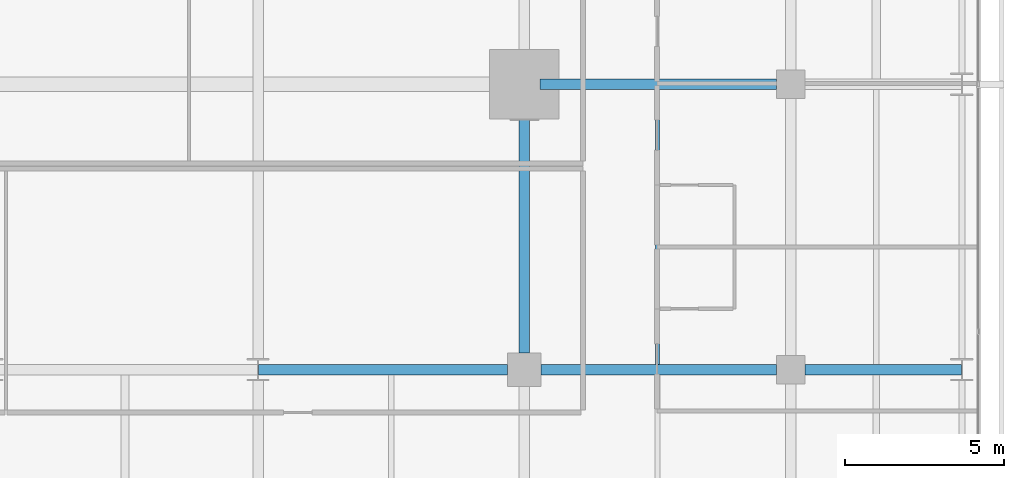
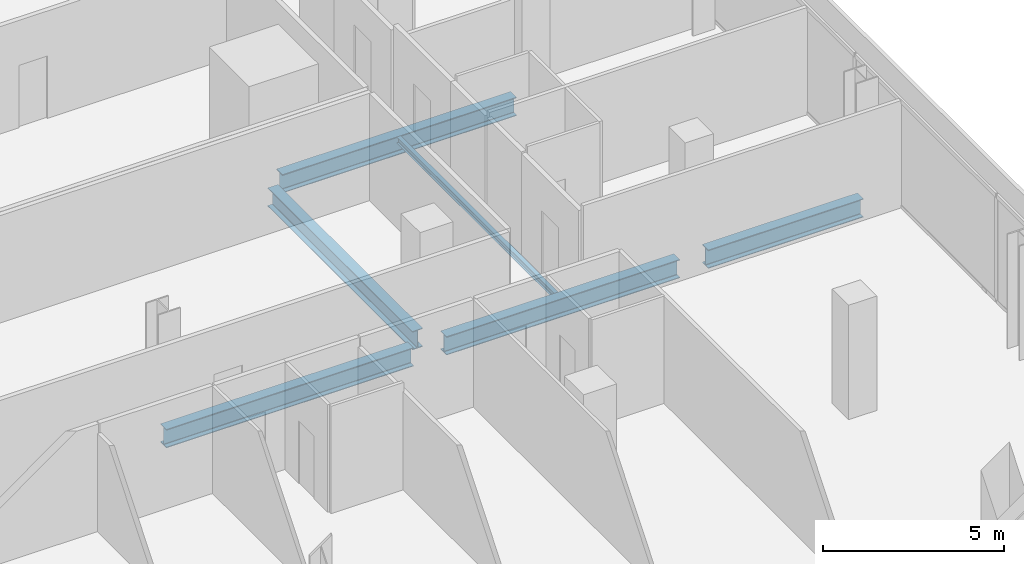
# One storey, part 18 of 39: 6 beams.
"""IFC4 building model written with IfcOpenShell, lengths in metres."""

from ifc_helpers import new_model, si_unit, direction, frame, origin, origin_2d, place, context, subcontext, project, spatial, i_section, extrude, material, material_profile, profile_set, type_object, element, save


model = new_model("IFC4")

# Units and contexts
model_context = context("Model", 3, precision=1e-05, world=origin(), true_north=direction((0.0, 1.0)))
body_context = subcontext(model_context, "Body", "Model", "MODEL_VIEW")
ifc_project = project(units=[si_unit("LENGTHUNIT", "METRE"), si_unit("AREAUNIT", "SQUARE_METRE"), si_unit("VOLUMEUNIT", "CUBIC_METRE"), si_unit("PLANEANGLEUNIT", "RADIAN"), si_unit("MASSUNIT", "GRAM", prefix="KILO")], contexts=[model_context])

# Site, building, storey
site_placement = place(None, origin())
site = spatial("IfcSite", under=ifc_project, at=site_placement, CompositionType="ELEMENT")
building_placement = place(site_placement, origin())
building = spatial("IfcBuilding", under=site, at=building_placement, Name="Maruvema Waterfront Hotel and Observation Tower", CompositionType="ELEMENT")
storey_placement = place(building_placement, frame((0.0, 0.0, 46.199951171875)))
storey = spatial("IfcBuildingStorey", under=building, at=storey_placement, Name="L10", CompositionType="ELEMENT", Elevation=46.199951171875)

# Beams
ifc_material_1 = material(Name="Steel ASTM A572 Grade 50", Category="steel")
ifc_material_profile_1 = material_profile(ifc_material_1, i_section(OverallWidth=0.326904296875, OverallDepth=0.6220703125, WebThickness=0.015380859375, FlangeThickness=0.0244140625, FilletRadius=0.01806640625, at=origin_2d()), Name="W610x195.0")
ifc_profile_set_1 = profile_set([ifc_material_profile_1], Name="Steel ASTM A572 Grade 50")
beam_type_1 = type_object("IfcBeamType", Name="Primary Floor Girder W610x195.0", PredefinedType="BEAM", material=ifc_profile_set_1)
beam_1_placement = place(storey_placement, frame((42.013916015625, 18.0, -0.551025390625), z_axis=(1.0, 0.0, 0.0), x_axis=(0.0, 1.0, 0.0)))
element("IfcBeam", 1, at=beam_1_placement, inside=storey, type_object=beam_type_1, Name="L10 Floor Girder EW-17", PredefinedType="BEAM", context=body_context, shape_type="SweptSolid", body=[
    extrude(i_section(OverallWidth=0.326904296875, OverallDepth=0.6220703125, WebThickness=0.015380859375, FlangeThickness=0.0244140625, FilletRadius=0.01806640625, at=origin_2d()), origin(), (0.0, 0.0, 1.0), 7.861083984375),
])
beam_2_placement = place(storey_placement, frame((50.925048828125, 18.0, -0.551025390625), z_axis=(1.0, 0.0, 0.0), x_axis=(0.0, 1.0, 0.0)))
element("IfcBeam", 2, at=beam_2_placement, inside=storey, type_object=beam_type_1, Name="L10 Floor Girder EW-18", PredefinedType="BEAM", context=body_context, shape_type="SweptSolid", body=[
    extrude(i_section(OverallWidth=0.326904296875, OverallDepth=0.6220703125, WebThickness=0.015380859375, FlangeThickness=0.0244140625, FilletRadius=0.01806640625, at=origin_2d()), origin(), (0.0, 0.0, 1.0), 7.425048828125),
])
beam_3_placement = place(storey_placement, frame((59.25, 18.0, -0.551025390625), z_axis=(1.0, 0.0, 0.0), x_axis=(0.0, 1.0, 0.0)))
element("IfcBeam", 3, at=beam_3_placement, inside=storey, type_object=beam_type_1, Name="L10 Floor Girder EW-19", PredefinedType="BEAM", context=body_context, shape_type="SweptSolid", body=[
    extrude(i_section(OverallWidth=0.326904296875, OverallDepth=0.6220703125, WebThickness=0.015380859375, FlangeThickness=0.0244140625, FilletRadius=0.01806640625, at=origin_2d()), origin(), (0.0, 0.0, 1.0), 4.93603515625),
])
beam_4_placement = place(storey_placement, frame((50.89990234375, 27.0, -0.551025390625), z_axis=(1.0, 0.0, 0.0), x_axis=(0.0, 1.0, 0.0)))
element("IfcBeam", 4, at=beam_4_placement, inside=storey, type_object=beam_type_1, Name="L10 Floor Girder EW-23", PredefinedType="BEAM", context=body_context, shape_type="SweptSolid", body=[
    extrude(i_section(OverallWidth=0.326904296875, OverallDepth=0.6220703125, WebThickness=0.015380859375, FlangeThickness=0.0244140625, FilletRadius=0.01806640625, at=origin_2d()), origin(), (0.0, 0.0, 1.0), 7.4501953125),
])
beam_5_placement = place(storey_placement, frame((50.39990234375, 18.52490234375, -0.551025390625), z_axis=(0.0, 1.0, 0.0), x_axis=(-1.0, 0.0, 0.0)))
element("IfcBeam", 5, at=beam_5_placement, inside=storey, type_object=beam_type_1, Name="L10 Floor Girder NS-24", PredefinedType="BEAM", context=body_context, shape_type="SweptSolid", body=[
    extrude(i_section(OverallWidth=0.326904296875, OverallDepth=0.6220703125, WebThickness=0.015380859375, FlangeThickness=0.0244140625, FilletRadius=0.01806640625, at=origin_2d()), origin(), (0.0, 0.0, 1.0), 7.97509765625),
])
ifc_material_2 = material(Name="Steel ASTM A572 Grade 50", Category="steel")
ifc_material_profile_2 = material_profile(ifc_material_2, i_section(OverallWidth=0.133056640625, OverallDepth=0.20703125, WebThickness=0.005859375, FlangeThickness=0.00830078125, FilletRadius=0.010009765625, at=origin_2d()), Name="W200x26.6")
ifc_profile_set_2 = profile_set([ifc_material_profile_2], Name="Steel ASTM A572 Grade 50")
beam_type_2 = type_object("IfcBeamType", Name="Secondary Floor Joist W200x26.6", PredefinedType="JOIST", material=ifc_profile_set_2)
beam_6_placement = place(storey_placement, frame((54.60009765625, 18.16357421875, -0.343505859375), z_axis=(0.0, 1.0, 0.0), x_axis=(-1.0, 0.0, 0.0)))
element("IfcBeam", 6, at=beam_6_placement, inside=storey, type_object=beam_type_2, Name="L10 Secondary Floor Joist JS-18", PredefinedType="JOIST", context=body_context, shape_type="SweptSolid", body=[
    extrude(i_section(OverallWidth=0.133056640625, OverallDepth=0.20703125, WebThickness=0.005859375, FlangeThickness=0.00830078125, FilletRadius=0.010009765625, at=origin_2d()), origin(), (0.0, 0.0, 1.0), 8.6728515625),
])

save(model, "model.ifc")
